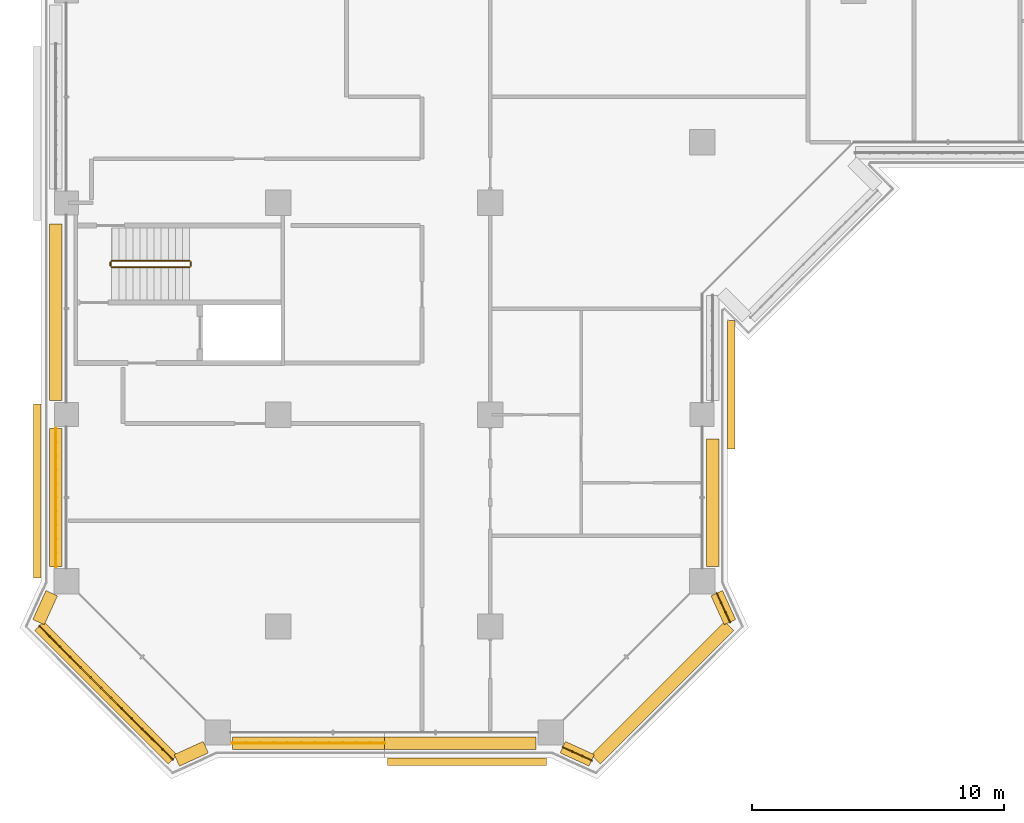
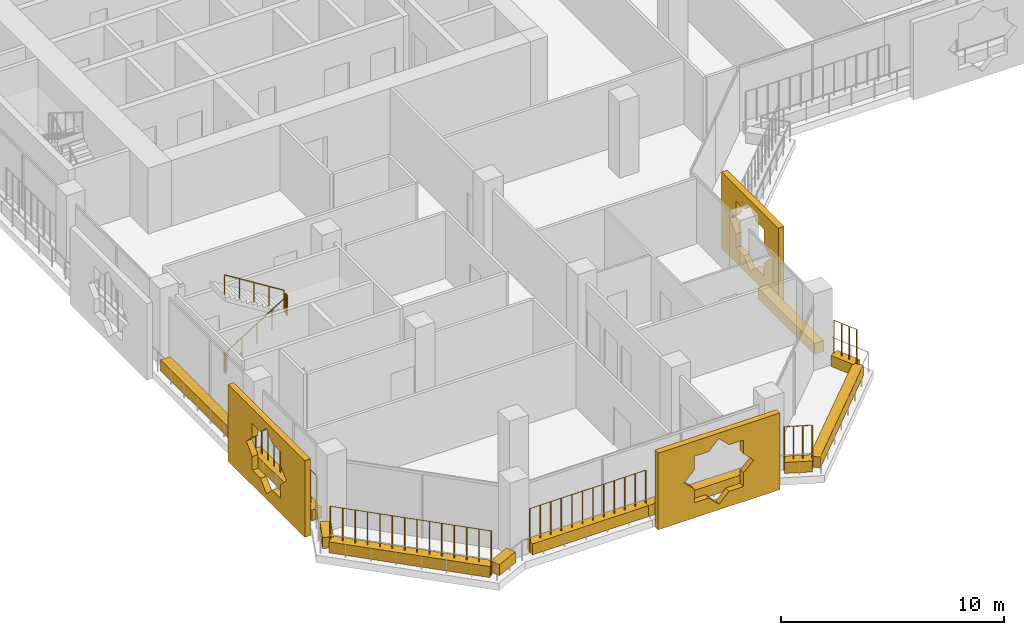
# One storey, part 16 of 22: 14 coverings, 9 railings.
"""IFC4 building model written with IfcOpenShell, lengths in metres."""

from ifc_helpers import new_model, si_unit, direction, frame, origin, origin_2d, place, context, subcontext, project, spatial, polyline, rectangle, circle, outline, extrude, material, material_profile, profile_set, type_object, element, save


model = new_model("IFC4")

# Units and contexts
model_context = context("Model", 3, precision=1e-05, world=origin(), true_north=direction((0.0, 1.0)))
body_context = subcontext(model_context, "Body", "Model", "MODEL_VIEW")
ifc_project = project(units=[si_unit("LENGTHUNIT", "METRE"), si_unit("AREAUNIT", "SQUARE_METRE"), si_unit("VOLUMEUNIT", "CUBIC_METRE"), si_unit("PLANEANGLEUNIT", "RADIAN"), si_unit("MASSUNIT", "GRAM", prefix="KILO")], contexts=[model_context])

# Site, building, storey
site_placement = place(None, origin())
site = spatial("IfcSite", under=ifc_project, at=site_placement, CompositionType="ELEMENT")
building_placement = place(site_placement, origin())
building = spatial("IfcBuilding", under=site, at=building_placement, Name="Kawkab Arch Medical Tower", CompositionType="ELEMENT")
storey_placement = place(building_placement, frame((0.0, 0.0, 204.60009765625)))
storey = spatial("IfcBuildingStorey", under=building, at=storey_placement, Name="L47", CompositionType="ELEMENT", Elevation=204.60009765625)

# Coverings
ifc_material_1 = material(Name="Bronze anodised aluminium mashrabiya panel, eight-point star pattern", Category="aluminium")
ifc_material_profile_1 = material_profile(ifc_material_1, outline(polyline([(-2.550048828125, -2.10009765625), (2.550048828125, -2.10009765625), (2.550048828125, 2.10009765625), (-2.550048828125, 2.10009765625), (-2.550048828125, -2.10009765625)]), holes=[polyline([(1.800048828125, 0.0), (1.272705078125, 0.527099609375), (1.272705078125, 1.272705078125), (0.527099609375, 1.272705078125), (0.0, 1.800048828125), (-0.527099609375, 1.272705078125), (-1.272705078125, 1.272705078125), (-1.272705078125, 0.527099609375), (-1.800048828125, 0.0), (-1.272705078125, -0.527099609375), (-1.272705078125, -1.272705078125), (-0.527099609375, -1.272705078125), (0.0, -1.800048828125), (0.527099609375, -1.272705078125), (1.272705078125, -1.272705078125), (1.272705078125, -0.527099609375), (1.800048828125, 0.0)])]), Name="Mashrabiya panel 5100x4200")
ifc_profile_set_1 = profile_set([ifc_material_profile_1], Name="Bronze anodised aluminium mashrabiya panel, eight-point star pattern")
covering_type_1 = type_object("IfcCoveringType", Name="Mashrabiya panel 5100 x 4200", PredefinedType="USERDEFINED", material=ifc_profile_set_1)
covering_1_placement = place(storey_placement, frame((26.199951171875, -40.807373046875, 1.699951171875), z_axis=(1.0, 0.0, 0.0), x_axis=(0.0, 1.0, 0.0)))
element("IfcCovering", 1, at=covering_1_placement, inside=storey, type_object=covering_type_1, Name="Mashrabiya panel L47.LOG-01-01.12", ObjectType="SCREEN", PredefinedType="USERDEFINED", context=body_context, shape_type="SweptSolid", body=[
    extrude(outline(polyline([(-2.550048828125, -2.10009765625), (2.550048828125, -2.10009765625), (2.550048828125, 2.10009765625), (-2.550048828125, 2.10009765625), (-2.550048828125, -2.10009765625)]), holes=[polyline([(1.800048828125, 0.0), (1.272705078125, 0.527099609375), (1.272705078125, 1.272705078125), (0.527099609375, 1.272705078125), (0.0, 1.800048828125), (-0.527099609375, 1.272705078125), (-1.272705078125, 1.272705078125), (-1.272705078125, 0.527099609375), (-1.800048828125, 0.0), (-1.272705078125, -0.527099609375), (-1.272705078125, -1.272705078125), (-0.527099609375, -1.272705078125), (0.0, -1.800048828125), (0.527099609375, -1.272705078125), (1.272705078125, -1.272705078125), (1.272705078125, -0.527099609375), (1.800048828125, 0.0)])]), origin(), (0.0, 0.0, 1.0), 0.300048828125),
])
ifc_material_2 = material(Name="Bronze anodised aluminium mashrabiya panel, eight-point star pattern", Category="aluminium")
ifc_material_profile_2 = material_profile(ifc_material_2, outline(polyline([(-3.14990234375, -2.10009765625), (3.14990234375, -2.10009765625), (3.14990234375, 2.10009765625), (-3.14990234375, 2.10009765625), (-3.14990234375, -2.10009765625)]), holes=[polyline([(1.800048828125, 0.0), (1.272705078125, 0.527099609375), (1.272705078125, 1.272705078125), (0.527099609375, 1.272705078125), (0.0, 1.800048828125), (-0.527099609375, 1.272705078125), (-1.272705078125, 1.272705078125), (-1.272705078125, 0.527099609375), (-1.800048828125, 0.0), (-1.272705078125, -0.527099609375), (-1.272705078125, -1.272705078125), (-0.527099609375, -1.272705078125), (0.0, -1.800048828125), (0.527099609375, -1.272705078125), (1.272705078125, -1.272705078125), (1.272705078125, -0.527099609375), (1.800048828125, 0.0)])]), Name="Mashrabiya panel 6300x4200")
ifc_profile_set_2 = profile_set([ifc_material_profile_2], Name="Bronze anodised aluminium mashrabiya panel, eight-point star pattern")
covering_type_2 = type_object("IfcCoveringType", Name="Mashrabiya panel 6300 x 4200", PredefinedType="USERDEFINED", material=ifc_profile_set_2)
covering_2_placement = place(storey_placement, frame((15.881103515625, -55.60009765625, 1.699951171875), z_axis=(0.0, -1.0, 0.0), x_axis=(1.0, 0.0, 0.0)))
element("IfcCovering", 2, at=covering_2_placement, inside=storey, type_object=covering_type_2, Name="Mashrabiya panel L47.LOG-01-01.1", ObjectType="SCREEN", PredefinedType="USERDEFINED", context=body_context, shape_type="SweptSolid", body=[
    extrude(outline(polyline([(-3.14990234375, -2.10009765625), (3.14990234375, -2.10009765625), (3.14990234375, 2.10009765625), (-3.14990234375, 2.10009765625), (-3.14990234375, -2.10009765625)]), holes=[polyline([(1.800048828125, 0.0), (1.272705078125, 0.527099609375), (1.272705078125, 1.272705078125), (0.527099609375, 1.272705078125), (0.0, 1.800048828125), (-0.527099609375, 1.272705078125), (-1.272705078125, 1.272705078125), (-1.272705078125, 0.527099609375), (-1.800048828125, 0.0), (-1.272705078125, -0.527099609375), (-1.272705078125, -1.272705078125), (-0.527099609375, -1.272705078125), (0.0, -1.800048828125), (0.527099609375, -1.272705078125), (1.272705078125, -1.272705078125), (1.272705078125, -0.527099609375), (1.800048828125, 0.0)])]), origin(), (0.0, 0.0, 1.0), 0.2998046875),
])
ifc_material_3 = material(Name="Bronze anodised aluminium mashrabiya panel, eight-point star pattern", Category="aluminium")
ifc_material_profile_3 = material_profile(ifc_material_3, outline(polyline([(-3.449951171875, -2.10009765625), (3.449951171875, -2.10009765625), (3.449951171875, 2.10009765625), (-3.449951171875, 2.10009765625), (-3.449951171875, -2.10009765625)]), holes=[polyline([(1.800048828125, 0.0), (1.272705078125, 0.527099609375), (1.272705078125, 1.272705078125), (0.527099609375, 1.272705078125), (0.0, 1.800048828125), (-0.527099609375, 1.272705078125), (-1.272705078125, 1.272705078125), (-1.272705078125, 0.527099609375), (-1.800048828125, 0.0), (-1.272705078125, -0.527099609375), (-1.272705078125, -1.272705078125), (-0.527099609375, -1.272705078125), (0.0, -1.800048828125), (0.527099609375, -1.272705078125), (1.272705078125, -1.272705078125), (1.272705078125, -0.527099609375), (1.800048828125, 0.0)])]), Name="Mashrabiya panel 6900x4200")
ifc_profile_set_3 = profile_set([ifc_material_profile_3], Name="Bronze anodised aluminium mashrabiya panel, eight-point star pattern")
covering_type_3 = type_object("IfcCoveringType", Name="Mashrabiya panel 6900 x 4200", PredefinedType="USERDEFINED", material=ifc_profile_set_3)
covering_3_placement = place(storey_placement, frame((-1.0, -45.03173828125, 1.699951171875), z_axis=(-1.0, 0.0, 0.0), x_axis=(0.0, -1.0, 0.0)))
element("IfcCovering", 3, at=covering_3_placement, inside=storey, type_object=covering_type_3, Name="Mashrabiya panel L47.LOG-01-01.2", ObjectType="SCREEN", PredefinedType="USERDEFINED", context=body_context, shape_type="SweptSolid", body=[
    extrude(outline(polyline([(-3.449951171875, -2.10009765625), (3.449951171875, -2.10009765625), (3.449951171875, 2.10009765625), (-3.449951171875, 2.10009765625), (-3.449951171875, -2.10009765625)]), holes=[polyline([(1.800048828125, 0.0), (1.272705078125, 0.527099609375), (1.272705078125, 1.272705078125), (0.527099609375, 1.272705078125), (0.0, 1.800048828125), (-0.527099609375, 1.272705078125), (-1.272705078125, 1.272705078125), (-1.272705078125, 0.527099609375), (-1.800048828125, 0.0), (-1.272705078125, -0.527099609375), (-1.272705078125, -1.272705078125), (-0.527099609375, -1.272705078125), (0.0, -1.800048828125), (0.527099609375, -1.272705078125), (1.272705078125, -1.272705078125), (1.272705078125, -0.527099609375), (1.800048828125, 0.0)])]), origin(), (0.0, 0.0, 1.0), 0.300048828125),
])
ifc_material_4 = material(Name="Planting soil in a precast trough", Category="concrete")
ifc_material_profile_4 = material_profile(ifc_material_4, rectangle(XDim=0.5, YDim=0.60009765625, at=origin_2d()), Name="Trough 500x600")
ifc_profile_set_4 = profile_set([ifc_material_profile_4], Name="Planting soil in a precast trough")
covering_type_4 = type_object("IfcCoveringType", Name="Planter trough 500 x 600", PredefinedType="USERDEFINED", material=ifc_profile_set_4)
covering_4_placement = place(storey_placement, frame((20.821044921875, -55.701904296875, 0.2998046875), z_axis=(-0.909780461959, 0.415089762627, 0.0), x_axis=(-0.415089762627, -0.909780461959, 0.0)))
element("IfcCovering", 4, at=covering_4_placement, inside=storey, type_object=covering_type_4, Name="Planter L47.LOG-01-01.1", ObjectType="PLANTER", PredefinedType="USERDEFINED", context=body_context, shape_type="SweptSolid", body=[
    extrude(rectangle(XDim=0.5, YDim=0.60009765625, at=origin_2d()), origin(), (0.0, 0.0, 1.0), 1.257568359375),
])
for number, where, z_axis, x_axis, name in (
    (5, (18.6201171875, -55.02001953125, 0.2998046875), (-1.0, 0.0, 0.0), (0.0, -1.0, 0.0), "Planter L47.LOG-01-01.2"),
    (6, (12.60009765625, -55.02001953125, 0.2998046875), (-1.0, 0.0, 0.0), (0.0, -1.0, 0.0), "Planter L47.LOG-01-01.3"),
):
    element("IfcCovering", number, at=place(storey_placement, frame(where, z_axis=z_axis, x_axis=x_axis)), inside=storey, type_object=covering_type_4, Name=name, ObjectType="PLANTER", PredefinedType="USERDEFINED", context=body_context, shape_type="SweptSolid", body=[
        extrude(rectangle(XDim=0.5, YDim=0.60009765625, at=origin_2d()), origin(), (0.0, 0.0, 1.0), 6.02001953125),
    ])
covering_5_placement = place(storey_placement, frame((5.52294921875, -55.179931640625, 0.2998046875), z_axis=(-0.909780461959, -0.415089762627, 0.0), x_axis=(0.415089762627, -0.909780461959, 0.0)))
element("IfcCovering", 7, at=covering_5_placement, inside=storey, type_object=covering_type_4, Name="Planter L47.LOG-01-01.4", ObjectType="PLANTER", PredefinedType="USERDEFINED", context=body_context, shape_type="SweptSolid", body=[
    extrude(rectangle(XDim=0.5, YDim=0.60009765625, at=origin_2d()), origin(), (0.0, 0.0, 1.0), 1.257568359375),
])
covering_6_placement = place(storey_placement, frame((4.217041015625, -55.673095703125, 0.2998046875), z_axis=(-0.707106781187, 0.707106781187, 0.0), x_axis=(-0.707106781187, -0.707106781187, 0.0)))
element("IfcCovering", 8, at=covering_6_placement, inside=storey, type_object=covering_type_4, Name="Planter L47.LOG-01-01.5", ObjectType="PLANTER", PredefinedType="USERDEFINED", context=body_context, shape_type="SweptSolid", body=[
    extrude(rectangle(XDim=0.5, YDim=0.60009765625, at=origin_2d()), origin(), (0.0, 0.0, 1.0), 7.481201171875),
])
covering_7_placement = place(storey_placement, frame((-1.10205078125, -50.220947265625, 0.2998046875), z_axis=(0.415089762627, 0.909780461959, 0.0), x_axis=(-0.909780461959, 0.415089762627, 0.0)))
element("IfcCovering", 9, at=covering_7_placement, inside=storey, type_object=covering_type_4, Name="Planter L47.LOG-01-01.6", ObjectType="PLANTER", PredefinedType="USERDEFINED", context=body_context, shape_type="SweptSolid", body=[
    extrude(rectangle(XDim=0.5, YDim=0.60009765625, at=origin_2d()), origin(), (0.0, 0.0, 1.0), 1.257568359375),
])
covering_8_placement = place(storey_placement, frame((-0.419921875, -48.02001953125, 0.2998046875), z_axis=(0.0, 1.0, 0.0), x_axis=(-1.0, 0.0, 0.0)))
element("IfcCovering", 10, at=covering_8_placement, inside=storey, type_object=covering_type_4, Name="Planter L47.LOG-01-01.7", ObjectType="PLANTER", PredefinedType="USERDEFINED", context=body_context, shape_type="SweptSolid", body=[
    extrude(rectangle(XDim=0.5, YDim=0.60009765625, at=origin_2d()), origin(), (0.0, 0.0, 1.0), 5.465087890625),
])
covering_9_placement = place(storey_placement, frame((-0.419921875, -41.445068359375, 0.2998046875), z_axis=(0.0, 1.0, 0.0), x_axis=(-1.0, 0.0, 0.0)))
element("IfcCovering", 11, at=covering_9_placement, inside=storey, type_object=covering_type_4, Name="Planter L47.LOG-01-01.8", ObjectType="PLANTER", PredefinedType="USERDEFINED", context=body_context, shape_type="SweptSolid", body=[
    extrude(rectangle(XDim=0.5, YDim=0.60009765625, at=origin_2d()), origin(), (0.0, 0.0, 1.0), 7.003173828125),
])
covering_10_placement = place(storey_placement, frame((25.6201171875, -42.955078125, 0.2998046875), z_axis=(0.0, -1.0, 0.0), x_axis=(1.0, 0.0, 0.0)))
element("IfcCovering", 12, at=covering_10_placement, inside=storey, type_object=covering_type_4, Name="Planter L47.LOG-01-01.42", ObjectType="PLANTER", PredefinedType="USERDEFINED", context=body_context, shape_type="SweptSolid", body=[
    extrude(rectangle(XDim=0.5, YDim=0.60009765625, at=origin_2d()), origin(), (0.0, 0.0, 1.0), 5.06494140625),
])
covering_11_placement = place(storey_placement, frame((25.780029296875, -49.076904296875, 0.2998046875), z_axis=(0.415089762627, -0.909780461959, 0.0), x_axis=(0.909780461959, 0.415089762627, 0.0)))
element("IfcCovering", 13, at=covering_11_placement, inside=storey, type_object=covering_type_4, Name="Planter L47.LOG-01-01.43", ObjectType="PLANTER", PredefinedType="USERDEFINED", context=body_context, shape_type="SweptSolid", body=[
    extrude(rectangle(XDim=0.5, YDim=0.60009765625, at=origin_2d()), origin(), (0.0, 0.0, 1.0), 1.257568359375),
])
covering_12_placement = place(storey_placement, frame((26.27294921875, -50.383056640625, 0.2998046875), z_axis=(-0.707106781187, -0.707106781187, 0.0), x_axis=(0.707106781187, -0.707106781187, 0.0)))
element("IfcCovering", 14, at=covering_12_placement, inside=storey, type_object=covering_type_4, Name="Planter L47.LOG-01-01.44", ObjectType="PLANTER", PredefinedType="USERDEFINED", context=body_context, shape_type="SweptSolid", body=[
    extrude(rectangle(XDim=0.5, YDim=0.60009765625, at=origin_2d()), origin(), (0.0, 0.0, 1.0), 7.481201171875),
])

# Railings
ifc_material_5 = material(Name="Bronze anodised aluminium trellis for climbing plants", Category="aluminium")
railing_type_1 = type_object("IfcRailingType", Name="Planting trellis 2400", PredefinedType="USERDEFINED", material=ifc_material_5)
railing_1_placement = place(storey_placement, frame((20.821044921875, -55.701904296875, 0.0)))
element("IfcRailing", 15, at=railing_1_placement, inside=storey, type_object=railing_type_1, Name="Planting trellis L47.LOG-01-01.1", ObjectType="TRELLIS", PredefinedType="USERDEFINED", context=body_context, shape_type="SweptSolid", body=[
    extrude(circle(Radius=0.01513671875, at=origin_2d()), frame((0.0, 0.0, 2.384765625), z_axis=(-0.909780461959, 0.415089762627, 0.0), x_axis=(-0.415089762627, -0.909780461959, 0.0)), (0.0, 0.0, 1.0), 1.257568359375),
    extrude(circle(Radius=0.030029296875, at=origin_2d()), origin(), (0.0, 0.0, 1.0), 2.369873046875),
    extrude(circle(Radius=0.030029296875, at=origin_2d()), frame((-0.38134765625, 0.174072265625, 0.0)), (0.0, 0.0, 1.0), 2.369873046875),
    extrude(circle(Radius=0.030029296875, at=origin_2d()), frame((-0.7626953125, 0.347900390625, 0.0)), (0.0, 0.0, 1.0), 2.369873046875),
    extrude(circle(Radius=0.030029296875, at=origin_2d()), frame((-1.14404296875, 0.52197265625, 0.0)), (0.0, 0.0, 1.0), 2.369873046875),
])
railing_2_placement = place(storey_placement, frame((12.60009765625, -55.02001953125, 0.0)))
element("IfcRailing", 16, at=railing_2_placement, inside=storey, type_object=railing_type_1, Name="Planting trellis L47.LOG-01-01.3", ObjectType="TRELLIS", PredefinedType="USERDEFINED", context=body_context, shape_type="SweptSolid", body=[
    extrude(circle(Radius=0.01513671875, at=origin_2d()), frame((0.0, 0.0, 2.384765625), z_axis=(-1.0, 0.0, 0.0), x_axis=(0.0, -1.0, 0.0)), (0.0, 0.0, 1.0), 6.02001953125),
    extrude(circle(Radius=0.030029296875, at=origin_2d()), origin(), (0.0, 0.0, 1.0), 2.369873046875),
    extrude(circle(Radius=0.030029296875, at=origin_2d()), frame((-0.54736328125, 0.0, 0.0)), (0.0, 0.0, 1.0), 2.369873046875),
    extrude(circle(Radius=0.030029296875, at=origin_2d()), frame((-1.094482421875, 0.0, 0.0)), (0.0, 0.0, 1.0), 2.369873046875),
    extrude(circle(Radius=0.030029296875, at=origin_2d()), frame((-1.641845703125, 0.0, 0.0)), (0.0, 0.0, 1.0), 2.369873046875),
    extrude(circle(Radius=0.030029296875, at=origin_2d()), frame((-2.189208984375, 0.0, 0.0)), (0.0, 0.0, 1.0), 2.369873046875),
    extrude(circle(Radius=0.030029296875, at=origin_2d()), frame((-2.736328125, 0.0, 0.0)), (0.0, 0.0, 1.0), 2.369873046875),
    extrude(circle(Radius=0.030029296875, at=origin_2d()), frame((-3.28369140625, 0.0, 0.0)), (0.0, 0.0, 1.0), 2.369873046875),
    extrude(circle(Radius=0.030029296875, at=origin_2d()), frame((-3.830810546875, 0.0, 0.0)), (0.0, 0.0, 1.0), 2.369873046875),
    extrude(circle(Radius=0.030029296875, at=origin_2d()), frame((-4.378173828125, 0.0, 0.0)), (0.0, 0.0, 1.0), 2.369873046875),
    extrude(circle(Radius=0.030029296875, at=origin_2d()), frame((-4.925537109375, 0.0, 0.0)), (0.0, 0.0, 1.0), 2.369873046875),
    extrude(circle(Radius=0.030029296875, at=origin_2d()), frame((-5.47265625, 0.0, 0.0)), (0.0, 0.0, 1.0), 2.369873046875),
    extrude(circle(Radius=0.030029296875, at=origin_2d()), frame((-6.02001953125, 0.0, 0.0)), (0.0, 0.0, 1.0), 2.369873046875),
])
railing_3_placement = place(storey_placement, frame((4.217041015625, -55.673095703125, 0.0)))
element("IfcRailing", 17, at=railing_3_placement, inside=storey, type_object=railing_type_1, Name="Planting trellis L47.LOG-01-01.5", ObjectType="TRELLIS", PredefinedType="USERDEFINED", context=body_context, shape_type="SweptSolid", body=[
    extrude(circle(Radius=0.01513671875, at=origin_2d()), frame((0.0, 0.0, 2.384765625), z_axis=(-0.707106781187, 0.707106781187, 0.0), x_axis=(-0.707106781187, -0.707106781187, 0.0)), (0.0, 0.0, 1.0), 7.481201171875),
    extrude(circle(Radius=0.030029296875, at=origin_2d()), origin(), (0.0, 0.0, 1.0), 2.369873046875),
    extrude(circle(Radius=0.030029296875, at=origin_2d()), frame((-0.406982421875, 0.406982421875, 0.0)), (0.0, 0.0, 1.0), 2.369873046875),
    extrude(circle(Radius=0.030029296875, at=origin_2d()), frame((-0.81396484375, 0.81396484375, 0.0)), (0.0, 0.0, 1.0), 2.369873046875),
    extrude(circle(Radius=0.030029296875, at=origin_2d()), frame((-1.220703125, 1.220703125, 0.0)), (0.0, 0.0, 1.0), 2.369873046875),
    extrude(circle(Radius=0.030029296875, at=origin_2d()), frame((-1.627685546875, 1.627685546875, 0.0)), (0.0, 0.0, 1.0), 2.369873046875),
    extrude(circle(Radius=0.030029296875, at=origin_2d()), frame((-2.03466796875, 2.03466796875, 0.0)), (0.0, 0.0, 1.0), 2.369873046875),
    extrude(circle(Radius=0.030029296875, at=origin_2d()), frame((-2.441650390625, 2.441650390625, 0.0)), (0.0, 0.0, 1.0), 2.369873046875),
    extrude(circle(Radius=0.030029296875, at=origin_2d()), frame((-2.848388671875, 2.848388671875, 0.0)), (0.0, 0.0, 1.0), 2.369873046875),
    extrude(circle(Radius=0.030029296875, at=origin_2d()), frame((-3.25537109375, 3.25537109375, 0.0)), (0.0, 0.0, 1.0), 2.369873046875),
    extrude(circle(Radius=0.030029296875, at=origin_2d()), frame((-3.662353515625, 3.662353515625, 0.0)), (0.0, 0.0, 1.0), 2.369873046875),
    extrude(circle(Radius=0.030029296875, at=origin_2d()), frame((-4.0693359375, 4.0693359375, 0.0)), (0.0, 0.0, 1.0), 2.369873046875),
    extrude(circle(Radius=0.030029296875, at=origin_2d()), frame((-4.47607421875, 4.47607421875, 0.0)), (0.0, 0.0, 1.0), 2.369873046875),
    extrude(circle(Radius=0.030029296875, at=origin_2d()), frame((-4.883056640625, 4.883056640625, 0.0)), (0.0, 0.0, 1.0), 2.369873046875),
    extrude(circle(Radius=0.030029296875, at=origin_2d()), frame((-5.2900390625, 5.2900390625, 0.0)), (0.0, 0.0, 1.0), 2.369873046875),
])
railing_4_placement = place(storey_placement, frame((-0.419921875, -48.02001953125, 0.0)))
element("IfcRailing", 18, at=railing_4_placement, inside=storey, type_object=railing_type_1, Name="Planting trellis L47.LOG-01-01.7", ObjectType="TRELLIS", PredefinedType="USERDEFINED", context=body_context, shape_type="SweptSolid", body=[
    extrude(circle(Radius=0.01513671875, at=origin_2d()), frame((0.0, 0.0, 2.384765625), z_axis=(0.0, 1.0, 0.0), x_axis=(-1.0, 0.0, 0.0)), (0.0, 0.0, 1.0), 5.465087890625),
    extrude(circle(Radius=0.030029296875, at=origin_2d()), origin(), (0.0, 0.0, 1.0), 2.369873046875),
    extrude(circle(Radius=0.030029296875, at=origin_2d()), frame((0.0, 0.54638671875, 0.0)), (0.0, 0.0, 1.0), 2.369873046875),
    extrude(circle(Radius=0.030029296875, at=origin_2d()), frame((0.0, 1.093017578125, 0.0)), (0.0, 0.0, 1.0), 2.369873046875),
    extrude(circle(Radius=0.030029296875, at=origin_2d()), frame((0.0, 1.6396484375, 0.0)), (0.0, 0.0, 1.0), 2.369873046875),
    extrude(circle(Radius=0.030029296875, at=origin_2d()), frame((0.0, 2.18603515625, 0.0)), (0.0, 0.0, 1.0), 2.369873046875),
    extrude(circle(Radius=0.030029296875, at=origin_2d()), frame((0.0, 2.732421875, 0.0)), (0.0, 0.0, 1.0), 2.369873046875),
    extrude(circle(Radius=0.030029296875, at=origin_2d()), frame((0.0, 3.279052734375, 0.0)), (0.0, 0.0, 1.0), 2.369873046875),
    extrude(circle(Radius=0.030029296875, at=origin_2d()), frame((0.0, 3.825439453125, 0.0)), (0.0, 0.0, 1.0), 2.369873046875),
    extrude(circle(Radius=0.030029296875, at=origin_2d()), frame((0.0, 4.3720703125, 0.0)), (0.0, 0.0, 1.0), 2.369873046875),
    extrude(circle(Radius=0.030029296875, at=origin_2d()), frame((0.0, 4.91845703125, 0.0)), (0.0, 0.0, 1.0), 2.369873046875),
    extrude(circle(Radius=0.030029296875, at=origin_2d()), frame((0.0, 5.465087890625, 0.0)), (0.0, 0.0, 1.0), 2.369873046875),
])
railing_5_placement = place(storey_placement, frame((25.780029296875, -49.076904296875, 0.0)))
element("IfcRailing", 19, at=railing_5_placement, inside=storey, type_object=railing_type_1, Name="Planting trellis L47.LOG-01-01.43", ObjectType="TRELLIS", PredefinedType="USERDEFINED", context=body_context, shape_type="SweptSolid", body=[
    extrude(circle(Radius=0.01513671875, at=origin_2d()), frame((0.0, 0.0, 2.384765625), z_axis=(0.415089762627, -0.909780461959, 0.0), x_axis=(0.909780461959, 0.415089762627, 0.0)), (0.0, 0.0, 1.0), 1.257568359375),
    extrude(circle(Radius=0.030029296875, at=origin_2d()), origin(), (0.0, 0.0, 1.0), 2.369873046875),
    extrude(circle(Radius=0.030029296875, at=origin_2d()), frame((0.174072265625, -0.38134765625, 0.0)), (0.0, 0.0, 1.0), 2.369873046875),
    extrude(circle(Radius=0.030029296875, at=origin_2d()), frame((0.347900390625, -0.7626953125, 0.0)), (0.0, 0.0, 1.0), 2.369873046875),
    extrude(circle(Radius=0.030029296875, at=origin_2d()), frame((0.52197265625, -1.14404296875, 0.0)), (0.0, 0.0, 1.0), 2.369873046875),
])
ifc_material_6 = material(Name="Stainless steel", Category="steel")
railing_type_2 = type_object("IfcRailingType", Name="Stair guard 1100", PredefinedType="GUARDRAIL", material=ifc_material_6)
railing_6_placement = place(storey_placement, frame((1.800048828125, -36.14990234375, 0.1748046875)))
element("IfcRailing", 20, at=railing_6_placement, inside=storey, type_object=railing_type_2, Name="L47 ST6 stair guard 1", PredefinedType="GUARDRAIL", context=body_context, shape_type="SweptSolid", body=[
    extrude(circle(Radius=0.02392578125, at=origin_2d()), frame((0.0, 0.0, 1.076171875), z_axis=(0.847979421464, 0.0, 0.530029150871), x_axis=(0.0, 1.0, 0.0)), (0.0, 0.0, 1.0), 3.632080078125),
    extrude(circle(Radius=0.02099609375, at=origin_2d()), origin(), (0.0, 0.0, 1.0), 1.052001953125),
    extrude(circle(Radius=0.02099609375, at=origin_2d()), frame((0.77001953125, 0.0, 0.481201171875)), (0.0, 0.0, 1.0), 1.052001953125),
    extrude(circle(Radius=0.02099609375, at=origin_2d()), frame((1.5400390625, 0.0, 0.96240234375)), (0.0, 0.0, 1.0), 1.052001953125),
    extrude(circle(Radius=0.02099609375, at=origin_2d()), frame((2.309814453125, 0.0, 1.44384765625)), (0.0, 0.0, 1.0), 1.052001953125),
    extrude(circle(Radius=0.02099609375, at=origin_2d()), frame((3.079833984375, 0.0, 1.925048828125)), (0.0, 0.0, 1.0), 1.052001953125),
])
railing_7_placement = place(storey_placement, frame((4.929931640625, -36.10009765625, 2.099853515625)))
element("IfcRailing", 21, at=railing_7_placement, inside=storey, type_object=railing_type_2, Name="L47 ST6 stair guard 2", PredefinedType="GUARDRAIL", context=body_context, shape_type="SweptSolid", body=[
    extrude(circle(Radius=0.02392578125, at=origin_2d()), frame((0.0, 0.0, 1.076171875), z_axis=(0.0, 1.0, 0.0), x_axis=(-1.0, 0.0, 0.0)), (0.0, 0.0, 1.0), 0.150146484375),
    extrude(circle(Radius=0.02099609375, at=origin_2d()), origin(), (0.0, 0.0, 1.0), 1.052001953125),
    extrude(circle(Radius=0.02099609375, at=origin_2d()), frame((0.0, 0.150146484375, 0.0)), (0.0, 0.0, 1.0), 1.052001953125),
])
railing_8_placement = place(storey_placement, frame((4.8798828125, -35.89990234375, 2.27490234375)))
element("IfcRailing", 22, at=railing_8_placement, inside=storey, type_object=railing_type_2, Name="L47 ST6 stair guard 3", PredefinedType="GUARDRAIL", context=body_context, shape_type="SweptSolid", body=[
    extrude(circle(Radius=0.02392578125, at=origin_2d()), frame((0.0, 0.0, 1.076171875), z_axis=(-0.847979421464, 0.0, 0.530029150871), x_axis=(0.0, -1.0, 0.0)), (0.0, 0.0, 1.0), 3.632080078125),
    extrude(circle(Radius=0.02099609375, at=origin_2d()), origin(), (0.0, 0.0, 1.0), 1.052001953125),
    extrude(circle(Radius=0.02099609375, at=origin_2d()), frame((-0.77001953125, 0.0, 0.481201171875)), (0.0, 0.0, 1.0), 1.052001953125),
    extrude(circle(Radius=0.02099609375, at=origin_2d()), frame((-1.5400390625, 0.0, 0.96240234375)), (0.0, 0.0, 1.0), 1.052001953125),
    extrude(circle(Radius=0.02099609375, at=origin_2d()), frame((-2.309814453125, 0.0, 1.44384765625)), (0.0, 0.0, 1.0), 1.052001953125),
    extrude(circle(Radius=0.02099609375, at=origin_2d()), frame((-3.079833984375, 0.0, 1.925048828125)), (0.0, 0.0, 1.0), 1.052001953125),
])
railing_9_placement = place(storey_placement, frame((1.75, -36.10009765625, 0.0)))
element("IfcRailing", 23, at=railing_9_placement, inside=storey, type_object=railing_type_2, Name="L47 ST6 stair guard 4", PredefinedType="GUARDRAIL", context=body_context, shape_type="SweptSolid", body=[
    extrude(circle(Radius=0.02392578125, at=origin_2d()), frame((0.0, 0.0, 1.076171875), z_axis=(0.0, 1.0, 0.0), x_axis=(-1.0, 0.0, 0.0)), (0.0, 0.0, 1.0), 0.150146484375),
    extrude(circle(Radius=0.02099609375, at=origin_2d()), origin(), (0.0, 0.0, 1.0), 1.052001953125),
    extrude(circle(Radius=0.02099609375, at=origin_2d()), frame((0.0, 0.150146484375, 0.0)), (0.0, 0.0, 1.0), 1.052001953125),
])

save(model, "model.ifc")
